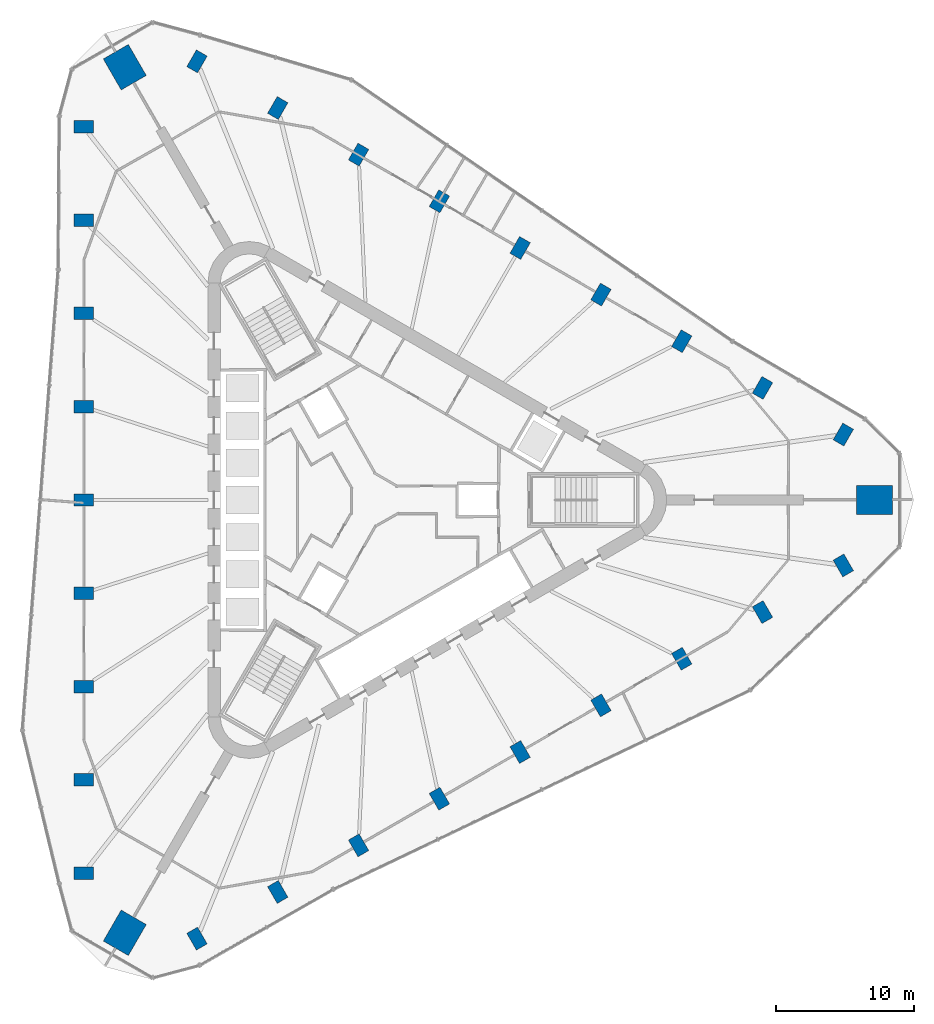
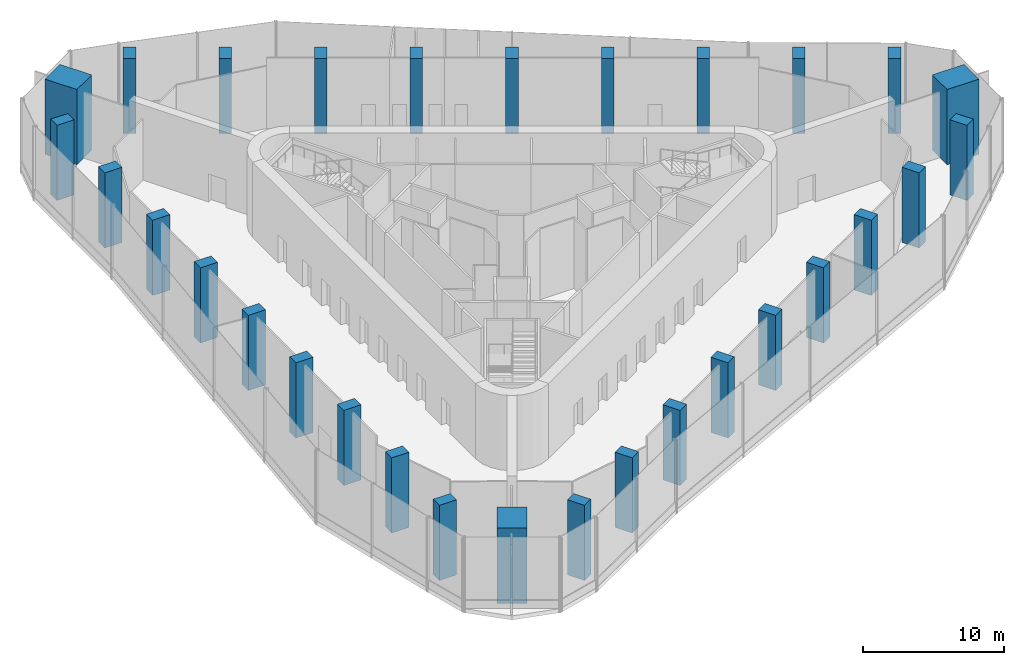
# One storey, part 1 of 15: 30 columns.
"""IFC4 building model written with IfcOpenShell, lengths in metres."""

import ifcopenshell
import ifcopenshell.guid

model = None  # the IFC model being written
_history = None  # IfcOwnerHistory: only IFC2X3 demands one
_inside = {}  # id of a spatial element -> (the spatial element, [elements in it])
_under = {}  # id of a project, library or spatial element -> (it, [spatial elements below it])
_declared = {}  # id of a project -> (the project, [libraries it declares])
_typed = {}  # id of a type object -> (the type object, [elements of that type])
_made_of = {}  # id of a material, layer set ... -> (it, [elements and type objects made of it])


def new_model(schema):
    """Start an empty IFC model of exactly this schema.

    Asked for "IFC4X3", IfcOpenShell would pick the latest addendum, in which some entities
    have other attributes; the version numbers below select the first issue.
    IFC2X3 requires an IfcOwnerHistory on every rooted entity: one is made here for all.
    """
    global model, _history
    if schema == "IFC4X3":
        model = ifcopenshell.file(schema_version=(4, 3, 0, 0))
    else:
        model = ifcopenshell.file(schema=schema)
    _inside.clear()
    _under.clear()
    _declared.clear()
    _typed.clear()
    _made_of.clear()
    _history = None
    if model.schema == "IFC2X3":
        org = make("IfcOrganization", Name="unknown")
        user = make(
            "IfcPersonAndOrganization",
            ThePerson=make("IfcPerson", FamilyName="unknown"),
            TheOrganization=org,
        )
        app = make(
            "IfcApplication",
            ApplicationDeveloper=org,
            Version="unknown",
            ApplicationFullName="unknown",
            ApplicationIdentifier="unknown",
        )
        _history = make(
            "IfcOwnerHistory",
            OwningUser=user,
            OwningApplication=app,
            ChangeAction="ADDED",
            CreationDate=0,
        )
    return model


def make(cls, **values):
    """One entity of the class cls with the attributes given. An attribute that is None is left unset."""
    return model.create_entity(
        cls, **{name: value for name, value in values.items() if value is not None}
    )


def rooted(cls, **values):
    """An entity with a GlobalId (a new one), such as an element, a storey or a relation."""
    return make(cls, GlobalId=ifcopenshell.guid.new(), OwnerHistory=_history, **values)


def si_unit(unit_type, name, prefix=None):
    """IfcSIUnit, for example si_unit("LENGTHUNIT", "METRE", prefix="MILLI")."""
    return make("IfcSIUnit", UnitType=unit_type, Prefix=prefix, Name=name)


def assignment(units):
    """IfcUnitAssignment: the units of a project."""
    return None if units is None else make("IfcUnitAssignment", Units=units)


def point(xyz):
    """IfcCartesianPoint."""
    return None if xyz is None else make("IfcCartesianPoint", Coordinates=xyz)


def direction(xyz):
    """IfcDirection."""
    return None if xyz is None else make("IfcDirection", DirectionRatios=xyz)


def frame(location, z_axis=None, x_axis=None):
    """IfcAxis2Placement3D, a coordinate frame: its origin and axes. An axis left out is left unset."""
    return make(
        "IfcAxis2Placement3D",
        Location=point(location),
        Axis=direction(z_axis),
        RefDirection=direction(x_axis),
    )


def frame_2d(location, x_axis=None):
    """IfcAxis2Placement2D, a coordinate frame in the plane: its origin and x axis."""
    return make(
        "IfcAxis2Placement2D", Location=point(location), RefDirection=direction(x_axis)
    )


def origin():
    """The frame at (0, 0, 0) with its axes left unset."""
    return frame((0.0, 0.0, 0.0))


def origin_2d():
    """The frame at (0, 0) in the plane with its x axis left unset."""
    return frame_2d((0.0, 0.0))


def place(relative_to, where):
    """IfcLocalPlacement: puts the frame where relative to a parent placement (None: the world)."""
    return make(
        "IfcLocalPlacement", PlacementRelTo=relative_to, RelativePlacement=where
    )


def context(
    kind, dimensions, precision=None, world=None, true_north=None, identifier=None
):
    """IfcGeometricRepresentationContext, for example the 3D "Model" context."""
    return make(
        "IfcGeometricRepresentationContext",
        ContextIdentifier=identifier,
        ContextType=kind,
        CoordinateSpaceDimension=dimensions,
        Precision=precision,
        WorldCoordinateSystem=world,
        TrueNorth=true_north,
    )


def subcontext(parent, identifier, kind, view, scale=None):
    """IfcGeometricRepresentationSubContext, for example "Body" below "Model"."""
    return make(
        "IfcGeometricRepresentationSubContext",
        ContextIdentifier=identifier,
        ContextType=kind,
        ParentContext=parent,
        TargetScale=scale,
        TargetView=view,
    )


def project(units=None, contexts=None):
    """IfcProject with its units and contexts."""
    return rooted(
        "IfcProject",
        Name="project",
        RepresentationContexts=contexts,
        UnitsInContext=assignment(units),
    )


def spatial(cls, under=None, at=None, **own):
    """A site, building, storey or space (cls), placed at a placement, below another one or the project."""
    s = rooted(cls, ObjectPlacement=at, **own)
    if under is not None:
        _under.setdefault(under.id(), (under, []))[1].append(s)
    return s


def profile(cls, at=None, kind="AREA", **sizes):
    """A parametric profile (cls). Its sizes go by their IFC names, for example OverallWidth=200.0."""
    return make(cls, ProfileType=kind, Position=at, **sizes)


def rectangle(**sizes):
    """IfcRectangleProfileDef."""
    return profile("IfcRectangleProfileDef", **sizes)


def extrude(swept, where, along, depth):
    """IfcExtrudedAreaSolid: the profile swept, set in the frame where, extruded along a direction by depth."""
    return make(
        "IfcExtrudedAreaSolid",
        SweptArea=swept,
        Position=where,
        ExtrudedDirection=direction(along),
        Depth=depth,
    )


def shape(context_of_items, identifier, shape_type, items):
    """IfcShapeRepresentation: the items that make up one representation, for example the "Body"."""
    return make(
        "IfcShapeRepresentation",
        ContextOfItems=context_of_items,
        RepresentationIdentifier=identifier,
        RepresentationType=shape_type,
        Items=items,
    )


def material(Name=None, Category=None):
    """IfcMaterial."""
    return make("IfcMaterial", Name=Name, Category=Category)


def material_profile(
    of_material, cross_section, Name=None, Category=None, Priority=None
):
    """IfcMaterialProfile: a cross section and its material."""
    return make(
        "IfcMaterialProfile",
        Name=Name,
        Material=of_material,
        Profile=cross_section,
        Priority=Priority,
        Category=Category,
    )


def profile_set(profiles, Name=None, composite=None):
    """IfcMaterialProfileSet."""
    return make(
        "IfcMaterialProfileSet",
        Name=Name,
        MaterialProfiles=profiles,
        CompositeProfile=composite,
    )


def made_of(thing, what):
    """Note that an element or type object is made of a material, layer set ...; save() writes the relation."""
    if what is not None:
        _made_of.setdefault(what.id(), (what, []))[1].append(thing)
    return thing


def type_object(cls, material=None, **own):
    """A type object (cls), such as IfcWallType, which elements share."""
    return made_of(rooted(cls, **own), material)


def element(
    cls,
    number,
    at=None,
    inside=None,
    cuts=None,
    type_object=None,
    material=None,
    context=None,
    identifier="Body",
    shape_type=None,
    held_by="IfcProductDefinitionShape",
    body=None,
    shapes=None,
    **own,
):
    """One element of the class cls, such as IfcWall. Its Tag is "e" and its number.

    at: its placement. inside: the storey or other place that contains it. cuts: it is an
    opening in that element (IfcRelVoidsElement). A single representation is given by context,
    identifier, shape_type and body (its items); several are given by shapes. held_by: the class
    of the entity that holds the representations. save() writes the other relations.
    """
    e = rooted(cls, Tag="e%d" % number, ObjectPlacement=at, **own)
    if body is not None:
        shapes = [shape(context, identifier, shape_type, body)]
    if shapes is not None:
        e.Representation = make(held_by, Representations=shapes)
    if inside is not None:
        _inside.setdefault(inside.id(), (inside, []))[1].append(e)
    if cuts is not None:
        rooted(
            "IfcRelVoidsElement", RelatingBuildingElement=cuts, RelatedOpeningElement=e
        )
    if type_object is not None:
        _typed.setdefault(type_object.id(), (type_object, []))[1].append(e)
    return made_of(e, material)


def aggregate(whole, parts):
    """IfcRelAggregates: a whole, such as a stair, and the parts it consists of."""
    return rooted("IfcRelAggregates", RelatingObject=whole, RelatedObjects=parts)


def save(model, path):
    """Write the relations noted so far, then the file.

    IfcRelAggregates (storeys below a building ...), IfcRelContainedInSpatialStructure (elements
    in a storey), IfcRelDefinesByType, IfcRelAssociatesMaterial and IfcRelDeclares: one each for
    every whole, place, type object, material and project.
    """
    for whole, parts in _under.values():
        aggregate(whole, parts)
    for where, things in _inside.values():
        rooted(
            "IfcRelContainedInSpatialStructure",
            RelatedElements=things,
            RelatingStructure=where,
        )
    for kind, things in _typed.values():
        rooted("IfcRelDefinesByType", RelatedObjects=things, RelatingType=kind)
    for what, things in _made_of.values():
        rooted("IfcRelAssociatesMaterial", RelatedObjects=things, RelatingMaterial=what)
    for by, libraries in _declared.values():
        rooted("IfcRelDeclares", RelatingContext=by, RelatedDefinitions=libraries)
    model.write(path)


model = new_model("IFC4")

# Units and contexts
model_context = context("Model", 3, precision=1e-05, world=origin(), true_north=direction((0.0, 1.0)))
body_context = subcontext(model_context, "Body", "Model", "MODEL_VIEW")
ifc_project = project(units=[si_unit("LENGTHUNIT", "METRE"), si_unit("AREAUNIT", "SQUARE_METRE"), si_unit("VOLUMEUNIT", "CUBIC_METRE"), si_unit("PLANEANGLEUNIT", "RADIAN"), si_unit("MASSUNIT", "GRAM", prefix="KILO")], contexts=[model_context])

# Site, building, storey
site_placement = place(None, origin())
site = spatial("IfcSite", under=ifc_project, at=site_placement, CompositionType="ELEMENT")
building_placement = place(site_placement, origin())
building = spatial("IfcBuilding", under=site, at=building_placement, Name="Tanit Gate Tower", CompositionType="ELEMENT")
storey_placement = place(building_placement, frame((0.0, 0.0, 277.199951171875)))
storey = spatial("IfcBuildingStorey", under=building, at=storey_placement, Name="L63", CompositionType="ELEMENT", Elevation=277.199951171875)

# Columns
ifc_material_1 = material(Name="Concrete C60/75", Category="concrete")
ifc_material_profile_1 = material_profile(ifc_material_1, rectangle(XDim=2.60009765625, YDim=2.10009765625, at=origin_2d()), Name="RC 2600x2100")
ifc_profile_set_1 = profile_set([ifc_material_profile_1], Name="Concrete C60/75")
column_type_1 = type_object("IfcColumnType", Name="MEGA COLUMN 2600x2100 C60/75", PredefinedType="COLUMN", material=ifc_profile_set_1)
for number, where, z_axis, x_axis, name in (
    (1, (36.270263671875, 0.0, 0.0), (0.0, 0.0, 1.0), (1.0, 0.0, 0.0), "MEGA COLUMN"),
    (2, (-18.135009765625, 31.410888671875, 0.0), (0.0, 0.0, 1.0), (-0.5, 0.866025403784, 0.0), "MEGA COLUMN"),
    (3, (-18.135009765625, -31.410888671875, 0.0), (0.0, 0.0, 1.0), (-0.5, -0.866025403784, 0.0), "MEGA COLUMN"),
):
    element("IfcColumn", number, at=place(storey_placement, frame(where, z_axis=z_axis, x_axis=x_axis)), inside=storey, type_object=column_type_1, Name=name, PredefinedType="COLUMN", context=body_context, shape_type="SweptSolid", body=[
        extrude(rectangle(XDim=2.60009765625, YDim=2.10009765625, at=origin_2d()), origin(), (0.0, 0.0, 1.0), 6.5),
    ])
ifc_material_2 = material(Name="Concrete C50/60", Category="concrete")
ifc_material_profile_2 = material_profile(ifc_material_2, rectangle(XDim=1.39990234375, YDim=0.89990234375, at=origin_2d()), Name="RC 1400x900")
ifc_profile_set_2 = profile_set([ifc_material_profile_2], Name="Concrete C50/60")
column_type_2 = type_object("IfcColumnType", Name="PERIMETER COLUMN 1400x900 C50/60", PredefinedType="COLUMN", material=ifc_profile_set_2)
for number, where, z_axis, x_axis, name in (
    (4, (-21.121337890625, 27.083984375, 0.0), (0.0, 0.0, 1.0), (-1.0, 0.0, 0.0), "PERIMETER COLUMN"),
    (5, (-21.121337890625, 20.31298828125, 0.0), (0.0, 0.0, 1.0), (-1.0, 0.0, 0.0), "PERIMETER COLUMN"),
    (6, (-21.121337890625, 13.5419921875, 0.0), (0.0, 0.0, 1.0), (-1.0, 0.0, 0.0), "PERIMETER COLUMN"),
    (7, (-21.121337890625, 6.77099609375, 0.0), (0.0, 0.0, 1.0), (-1.0, 0.0, 0.0), "PERIMETER COLUMN"),
    (8, (-21.121337890625, 0.0, 0.0), (0.0, 0.0, 1.0), (-1.0, 0.0, 0.0), "PERIMETER COLUMN"),
    (9, (-21.121337890625, -6.77099609375, 0.0), (0.0, 0.0, 1.0), (-1.0, 0.0, 0.0), "PERIMETER COLUMN"),
    (10, (-21.121337890625, -13.5419921875, 0.0), (0.0, 0.0, 1.0), (-1.0, 0.0, 0.0), "PERIMETER COLUMN"),
    (11, (-21.121337890625, -20.31298828125, 0.0), (0.0, 0.0, 1.0), (-1.0, 0.0, 0.0), "PERIMETER COLUMN"),
    (12, (-21.121337890625, -27.083984375, 0.0), (0.0, 0.0, 1.0), (-1.0, 0.0, 0.0), "PERIMETER COLUMN"),
    (13, (34.01611328125, 4.749755859375, 0.0), (0.0, 0.0, 1.0), (0.5, 0.866025403784, 0.0), "PERIMETER COLUMN"),
    (14, (28.152099609375, 8.13525390625, 0.0), (0.0, 0.0, 1.0), (0.5, 0.866025403784, 0.0), "PERIMETER COLUMN"),
    (15, (22.288330078125, 11.520751953125, 0.0), (0.0, 0.0, 1.0), (0.5, 0.866025403784, 0.0), "PERIMETER COLUMN"),
    (16, (16.424560546875, 14.90625, 0.0), (0.0, 0.0, 1.0), (0.5, 0.866025403784, 0.0), "PERIMETER COLUMN"),
    (17, (10.560791015625, 18.291748046875, 0.0), (0.0, 0.0, 1.0), (0.5, 0.866025403784, 0.0), "PERIMETER COLUMN"),
    (18, (4.697021484375, 21.67724609375, 0.0), (0.0, 0.0, 1.0), (0.5, 0.866025403784, 0.0), "PERIMETER COLUMN"),
    (19, (-1.1669921875, 25.062744140625, 0.0), (0.0, 0.0, 1.0), (0.5, 0.866025403784, 0.0), "PERIMETER COLUMN"),
    (20, (-7.03076171875, 28.4482421875, 0.0), (0.0, 0.0, 1.0), (0.5, 0.866025403784, 0.0), "PERIMETER COLUMN"),
    (21, (-12.894775390625, 31.83349609375, 0.0), (0.0, 0.0, 1.0), (0.5, 0.866025403784, 0.0), "PERIMETER COLUMN"),
    (22, (-12.894775390625, -31.83349609375, 0.0), (0.0, 0.0, 1.0), (0.5, -0.866025403784, 0.0), "PERIMETER COLUMN"),
    (23, (-7.03076171875, -28.4482421875, 0.0), (0.0, 0.0, 1.0), (0.5, -0.866025403784, 0.0), "PERIMETER COLUMN"),
    (24, (-1.1669921875, -25.062744140625, 0.0), (0.0, 0.0, 1.0), (0.5, -0.866025403784, 0.0), "PERIMETER COLUMN"),
    (25, (4.697021484375, -21.67724609375, 0.0), (0.0, 0.0, 1.0), (0.5, -0.866025403784, 0.0), "PERIMETER COLUMN"),
    (26, (10.560791015625, -18.291748046875, 0.0), (0.0, 0.0, 1.0), (0.5, -0.866025403784, 0.0), "PERIMETER COLUMN"),
    (27, (16.424560546875, -14.90625, 0.0), (0.0, 0.0, 1.0), (0.5, -0.866025403784, 0.0), "PERIMETER COLUMN"),
    (28, (22.288330078125, -11.520751953125, 0.0), (0.0, 0.0, 1.0), (0.5, -0.866025403784, 0.0), "PERIMETER COLUMN"),
    (29, (28.152099609375, -8.13525390625, 0.0), (0.0, 0.0, 1.0), (0.5, -0.866025403784, 0.0), "PERIMETER COLUMN"),
    (30, (34.01611328125, -4.749755859375, 0.0), (0.0, 0.0, 1.0), (0.5, -0.866025403784, 0.0), "PERIMETER COLUMN"),
):
    element("IfcColumn", number, at=place(storey_placement, frame(where, z_axis=z_axis, x_axis=x_axis)), inside=storey, type_object=column_type_2, Name=name, PredefinedType="COLUMN", context=body_context, shape_type="SweptSolid", body=[
        extrude(rectangle(XDim=1.39990234375, YDim=0.89990234375, at=origin_2d()), origin(), (0.0, 0.0, 1.0), 6.5),
    ])

save(model, "model.ifc")
